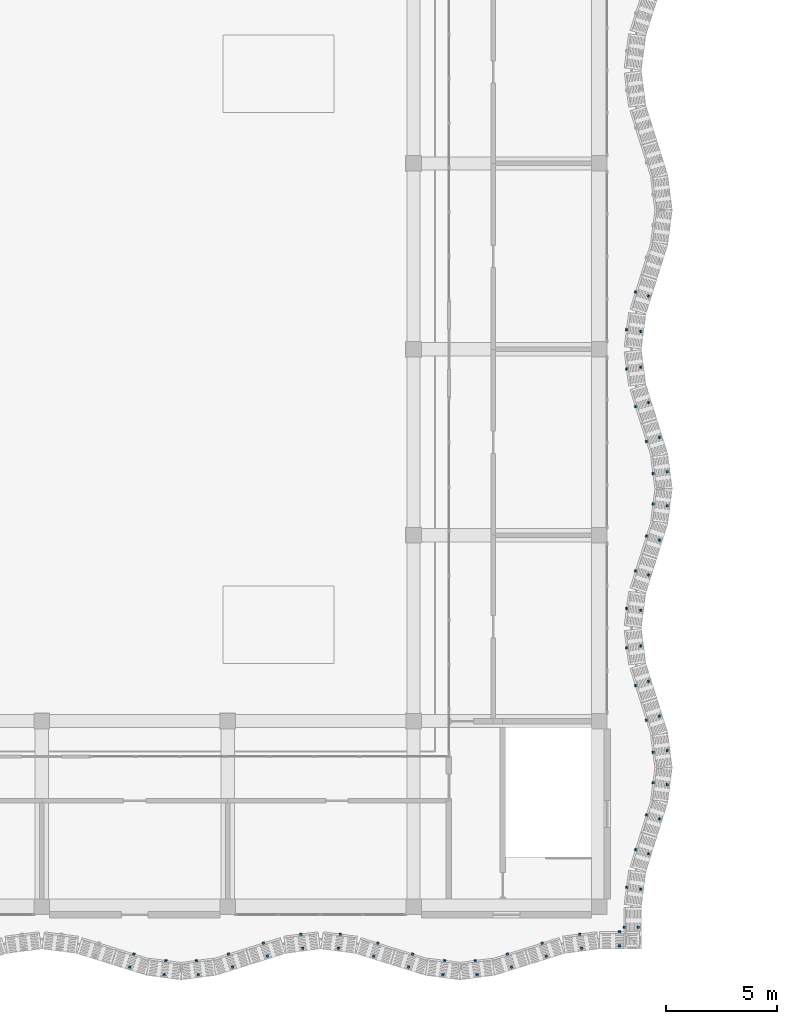
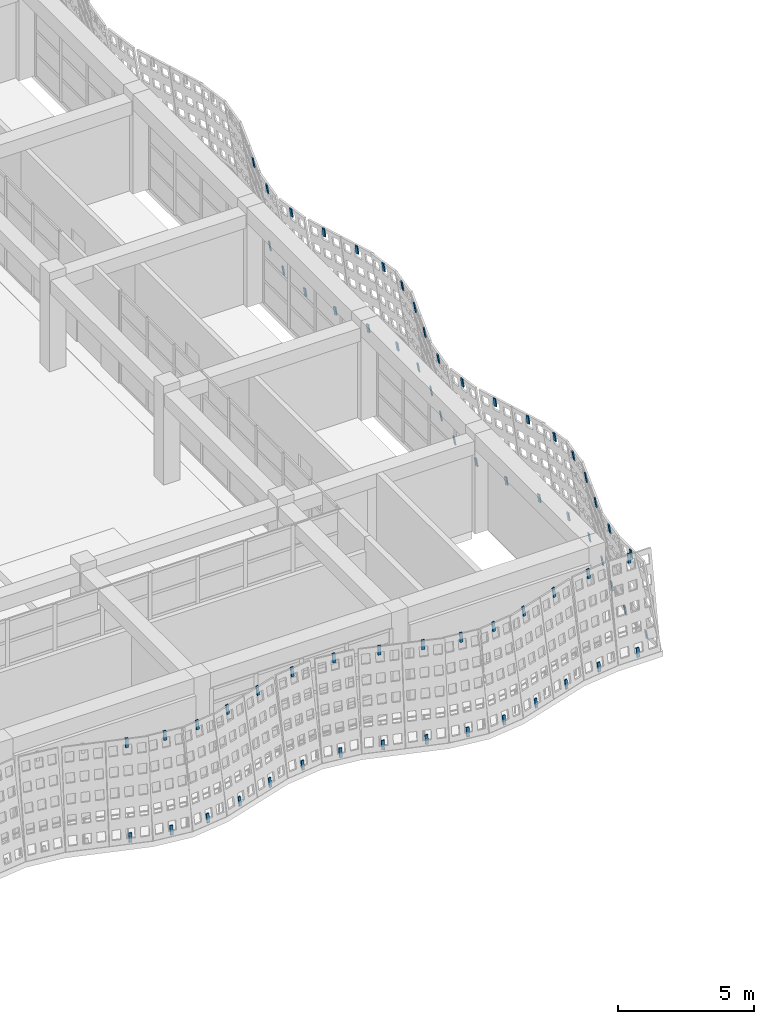
# One storey, part 55 of 85: 68 discrete accessories.
"""IFC4 building model written with IfcOpenShell, lengths in metres."""

from ifc_helpers import new_model, si_unit, direction, frame, origin, origin_2d, place, context, subcontext, project, spatial, rectangle, extrude, material, material_profile, profile_set, type_object, element, save


model = new_model("IFC4")

# Units and contexts
model_context = context("Model", 3, precision=1e-05, world=origin(), true_north=direction((0.0, 1.0)))
body_context = subcontext(model_context, "Body", "Model", "MODEL_VIEW")
ifc_project = project(units=[si_unit("LENGTHUNIT", "METRE"), si_unit("AREAUNIT", "SQUARE_METRE"), si_unit("VOLUMEUNIT", "CUBIC_METRE"), si_unit("PLANEANGLEUNIT", "RADIAN"), si_unit("MASSUNIT", "GRAM", prefix="KILO")], contexts=[model_context])

# Site, building, storey
site_placement = place(None, origin())
site = spatial("IfcSite", under=ifc_project, at=site_placement, CompositionType="ELEMENT")
building_placement = place(site_placement, origin())
building = spatial("IfcBuilding", under=site, at=building_placement, Name="Rain Tree Exposition and Congress Centre", CompositionType="ELEMENT")
storey_placement = place(building_placement, frame((0.0, 0.0, 15.0)))
storey = spatial("IfcBuildingStorey", under=building, at=storey_placement, Name="L03", CompositionType="ELEMENT", Elevation=15.0)

# Discrete accessories
ifc_material = material(Name="Steel S355J2", Category="steel")
ifc_material_profile = material_profile(ifc_material, rectangle(XDim=0.1201171875, YDim=0.050048828125, at=origin_2d()), Name="Flat bar 120x50")
ifc_profile_set = profile_set([ifc_material_profile], Name="Steel S355J2")
discrete_accessory_type = type_object("IfcDiscreteAccessoryType", Name="Screen bracket 120x50", PredefinedType="BRACKET", material=ifc_profile_set)
for number, where, z_axis, x_axis, name in (
    (1, (29.35009765625, -2.159423828125, 3.85107421875), (0.047601548727, 0.150738237635, 0.987426997946), (-0.953582665134, 0.301131367937, 0.0), "wing/bracket/L03/0191t"),
    (2, (29.16552734375, -2.74658203125, 0.00390625), (0.047601548727, 0.150738237635, 0.987426997946), (-0.953582665134, 0.301131367937, 0.0), "wing/bracket/L03/0191b"),
):
    element("IfcDiscreteAccessory", number, at=place(storey_placement, frame(where, z_axis=z_axis, x_axis=x_axis)), inside=storey, type_object=discrete_accessory_type, Name=name, PredefinedType="BRACKET", context=body_context, shape_type="SweptSolid", body=[
        extrude(rectangle(XDim=0.1201171875, YDim=0.050048828125, at=origin_2d()), origin(), (0.0, 0.0, 1.0), 0.400146484375),
    ])
for number, where, z_axis, x_axis, name in (
    (3, (30.806884765625, -2.458984375, 3.851318359375), (0.021363835031, 0.162975541524, 0.986398783159), (-0.991517377774, 0.129974188098, 0.0), "wing/bracket/L03/0201t"),
    (4, (30.724365234375, -3.093505859375, 0.004150390625), (0.021363835031, 0.162975541524, 0.986398783159), (-0.991517377774, 0.129974188098, 0.0), "wing/bracket/L03/0201b"),
    (5, (32.193115234375, -2.458984375, 3.851318359375), (-0.021363835031, 0.162975541524, 0.986398783159), (-0.991517377774, -0.129974188098, 0.0), "wing/bracket/L03/0211t"),
    (6, (32.275634765625, -3.093505859375, 0.004150390625), (-0.021363835031, 0.162975541524, 0.986398783159), (-0.991517377774, -0.129974188098, 0.0), "wing/bracket/L03/0211b"),
):
    element("IfcDiscreteAccessory", number, at=place(storey_placement, frame(where, z_axis=z_axis, x_axis=x_axis)), inside=storey, type_object=discrete_accessory_type, Name=name, PredefinedType="BRACKET", context=body_context, shape_type="SweptSolid", body=[
        extrude(rectangle(XDim=0.1201171875, YDim=0.050048828125, at=origin_2d()), origin(), (0.0, 0.0, 1.0), 0.39990234375),
    ])
for number, where, z_axis, x_axis, name in (
    (7, (33.64990234375, -2.159423828125, 3.85107421875), (-0.047601548727, 0.150738237635, 0.987426997946), (-0.953582665134, -0.301131367937, 0.0), "wing/bracket/L03/0221t"),
    (8, (33.83447265625, -2.74658203125, 0.00390625), (-0.047601548727, 0.150738237635, 0.987426997946), (-0.953582665134, -0.301131367937, 0.0), "wing/bracket/L03/0221b"),
    (9, (35.221435546875, -1.66552734375, 3.85107421875), (-0.04699262887, 0.150742588713, 0.987455500152), (-0.954686073127, -0.297614686764, 0.0), "wing/bracket/L03/0231t"),
    (10, (35.406005859375, -2.252685546875, 0.00390625), (-0.04699262887, 0.150742588713, 0.987455500152), (-0.954686073127, -0.297614686764, 0.0), "wing/bracket/L03/0231b"),
):
    element("IfcDiscreteAccessory", number, at=place(storey_placement, frame(where, z_axis=z_axis, x_axis=x_axis)), inside=storey, type_object=discrete_accessory_type, Name=name, PredefinedType="BRACKET", context=body_context, shape_type="SweptSolid", body=[
        extrude(rectangle(XDim=0.1201171875, YDim=0.050048828125, at=origin_2d()), origin(), (0.0, 0.0, 1.0), 0.400146484375),
    ])
for number, where, z_axis, x_axis, name in (
    (11, (36.91650390625, -1.26416015625, 3.851318359375), (-0.021365956631, 0.162381270396, 0.986496740452), (-0.991454295543, -0.130454512571, 0.0), "wing/bracket/L03/0241t"),
    (12, (36.998779296875, -1.898681640625, 0.004150390625), (-0.020753706516, 0.162977636468, 0.986411462665), (-0.991989449114, -0.12632075382, 0.0), "wing/bracket/L03/0241b"),
    (13, (38.68359375, -1.26416015625, 3.851318359375), (0.021365956631, 0.162381270396, 0.986496740452), (-0.991454295543, 0.130454512571, 0.0), "wing/bracket/L03/0251t"),
    (14, (38.60107421875, -1.898681640625, 0.004150390625), (0.021363835031, 0.162975541524, 0.986398783159), (-0.991517377774, 0.129974188098, 0.0), "wing/bracket/L03/0251b"),
):
    element("IfcDiscreteAccessory", number, at=place(storey_placement, frame(where, z_axis=z_axis, x_axis=x_axis)), inside=storey, type_object=discrete_accessory_type, Name=name, PredefinedType="BRACKET", context=body_context, shape_type="SweptSolid", body=[
        extrude(rectangle(XDim=0.1201171875, YDim=0.050048828125, at=origin_2d()), origin(), (0.0, 0.0, 1.0), 0.39990234375),
    ])
for number, where, z_axis, x_axis, name in (
    (15, (40.37841796875, -1.66552734375, 3.85107421875), (0.047601548727, 0.150738237635, 0.987426997946), (-0.953582665134, 0.301131367937, 0.0), "wing/bracket/L03/0261t"),
    (16, (40.194091796875, -2.252685546875, 0.00390625), (0.04699262887, 0.150742588713, 0.987455500152), (-0.954686073127, 0.297614686764, 0.0), "wing/bracket/L03/0261b"),
    (17, (41.9501953125, -2.159423828125, 3.85107421875), (0.04699262887, 0.150742588713, 0.987455500152), (-0.954686073127, 0.297614686764, 0.0), "wing/bracket/L03/0271t"),
    (18, (41.765625, -2.74658203125, 0.00390625), (0.047601548727, 0.150738237635, 0.987426997946), (-0.953582665134, 0.301131367937, 0.0), "wing/bracket/L03/0271b"),
):
    element("IfcDiscreteAccessory", number, at=place(storey_placement, frame(where, z_axis=z_axis, x_axis=x_axis)), inside=storey, type_object=discrete_accessory_type, Name=name, PredefinedType="BRACKET", context=body_context, shape_type="SweptSolid", body=[
        extrude(rectangle(XDim=0.1201171875, YDim=0.050048828125, at=origin_2d()), origin(), (0.0, 0.0, 1.0), 0.400146484375),
    ])
for number, where, z_axis, x_axis, name in (
    (19, (43.406982421875, -2.458984375, 3.851318359375), (0.020753706516, 0.162977636468, 0.986411462665), (-0.991989449114, 0.12632075382, 0.0), "wing/bracket/L03/0281t"),
    (20, (43.324462890625, -3.093505859375, 0.004150390625), (0.021363835031, 0.162975541524, 0.986398783159), (-0.991517377774, 0.129974188098, 0.0), "wing/bracket/L03/0281b"),
    (21, (44.79296875, -2.458984375, 3.851318359375), (-0.020753706516, 0.162977636468, 0.986411462665), (-0.991989449114, -0.12632075382, 0.0), "wing/bracket/L03/0291t"),
    (22, (44.87548828125, -3.093505859375, 0.004150390625), (-0.020753706516, 0.162977636468, 0.986411462665), (-0.991989449114, -0.12632075382, 0.0), "wing/bracket/L03/0291b"),
):
    element("IfcDiscreteAccessory", number, at=place(storey_placement, frame(where, z_axis=z_axis, x_axis=x_axis)), inside=storey, type_object=discrete_accessory_type, Name=name, PredefinedType="BRACKET", context=body_context, shape_type="SweptSolid", body=[
        extrude(rectangle(XDim=0.1201171875, YDim=0.050048828125, at=origin_2d()), origin(), (0.0, 0.0, 1.0), 0.39990234375),
    ])
for number, where, z_axis, x_axis, name in (
    (23, (46.25, -2.159423828125, 3.85107421875), (-0.047601548727, 0.150738237635, 0.987426997946), (-0.953582665134, -0.301131367937, 0.0), "wing/bracket/L03/0301t"),
    (24, (46.434326171875, -2.74658203125, 0.00390625), (-0.047601548727, 0.150738237635, 0.987426997946), (-0.953582665134, -0.301131367937, 0.0), "wing/bracket/L03/0301b"),
    (25, (47.821533203125, -1.66552734375, 3.85107421875), (-0.047601548727, 0.150738237635, 0.987426997946), (-0.953582665134, -0.301131367937, 0.0), "wing/bracket/L03/0311t"),
    (26, (48.006103515625, -2.252685546875, 0.00390625), (-0.047601548727, 0.150738237635, 0.987426997946), (-0.953582665134, -0.301131367937, 0.0), "wing/bracket/L03/0311b"),
):
    element("IfcDiscreteAccessory", number, at=place(storey_placement, frame(where, z_axis=z_axis, x_axis=x_axis)), inside=storey, type_object=discrete_accessory_type, Name=name, PredefinedType="BRACKET", context=body_context, shape_type="SweptSolid", body=[
        extrude(rectangle(XDim=0.1201171875, YDim=0.050048828125, at=origin_2d()), origin(), (0.0, 0.0, 1.0), 0.400146484375),
    ])
for number, where, z_axis, x_axis, name in (
    (27, (49.516357421875, -1.26416015625, 3.851318359375), (-0.021365956631, 0.162381270396, 0.986496740452), (-0.991454295543, -0.130454512571, 0.0), "wing/bracket/L03/0321t"),
    (28, (49.598876953125, -1.898681640625, 0.004150390625), (-0.020753706516, 0.162977636468, 0.986411462665), (-0.991989449114, -0.12632075382, 0.0), "wing/bracket/L03/0321b"),
    (29, (51.310302734375, -1.14990234375, 3.851318359375), (0.0, 0.164794877674, 0.986327860446), (-1.0, 0.0, 0.0), "wing/bracket/L03/0331t"),
):
    element("IfcDiscreteAccessory", number, at=place(storey_placement, frame(where, z_axis=z_axis, x_axis=x_axis)), inside=storey, type_object=discrete_accessory_type, Name=name, PredefinedType="BRACKET", context=body_context, shape_type="SweptSolid", body=[
        extrude(rectangle(XDim=0.1201171875, YDim=0.050048828125, at=origin_2d()), origin(), (0.0, 0.0, 1.0), 0.39990234375),
    ])
for number, where, z_axis, x_axis, name in (
    (30, (51.310302734375, -1.795166015625, 0.004150390625), (0.0, 0.165388563864, 0.986228484147), (-1.0, 0.0, 0.0), "wing/bracket/L03/0331b"),
    (31, (51.550048828125, -0.91015625, 3.851318359375), (-0.165388563864, 0.0, 0.986228484147), (0.0, -1.0, 0.0), "wing/bracket/L03/0341t"),
    (32, (52.1953125, -0.91015625, 0.004150390625), (-0.16598207031, 0.0, 0.986128770666), (0.0, -1.0, 0.0), "wing/bracket/L03/0341b"),
):
    element("IfcDiscreteAccessory", number, at=place(storey_placement, frame(where, z_axis=z_axis, x_axis=x_axis)), inside=storey, type_object=discrete_accessory_type, Name=name, PredefinedType="BRACKET", context=body_context, shape_type="SweptSolid", body=[
        extrude(rectangle(XDim=0.1201171875, YDim=0.050048828125, at=origin_2d()), origin(), (0.0, 0.0, 1.0), 0.400146484375),
    ])
for number, where, z_axis, x_axis, name in (
    (33, (51.664306640625, 0.883544921875, 3.851318359375), (-0.162975541524, 0.021363835031, 0.986398783159), (-0.129974188098, -0.991517377774, 0.0), "wing/bracket/L03/0351t"),
    (34, (52.298583984375, 0.801025390625, 0.004150390625), (-0.162975541524, 0.021363835031, 0.986398783159), (-0.129974188098, -0.991517377774, 0.0), "wing/bracket/L03/0351b"),
    (35, (52.0654296875, 2.57861328125, 3.85107421875), (-0.150146080534, 0.046996943907, 0.987546171966), (-0.298716747751, -0.954341817491, 0.0), "wing/bracket/L03/0361t"),
):
    element("IfcDiscreteAccessory", number, at=place(storey_placement, frame(where, z_axis=z_axis, x_axis=x_axis)), inside=storey, type_object=discrete_accessory_type, Name=name, PredefinedType="BRACKET", context=body_context, shape_type="SweptSolid", body=[
        extrude(rectangle(XDim=0.1201171875, YDim=0.050048828125, at=origin_2d()), origin(), (0.0, 0.0, 1.0), 0.39990234375),
    ])
for number, where, z_axis, x_axis, name in (
    (36, (52.652587890625, 2.39404296875, 0.00390625), (-0.150742588713, 0.04699262887, 0.987455500152), (-0.297614686764, -0.954686073127, 0.0), "wing/bracket/L03/0361b"),
    (37, (52.5595703125, 4.150146484375, 3.85107421875), (-0.150738237635, 0.047601548727, 0.987426997946), (-0.301131367937, -0.953582665134, 0.0), "wing/bracket/L03/0371t"),
):
    element("IfcDiscreteAccessory", number, at=place(storey_placement, frame(where, z_axis=z_axis, x_axis=x_axis)), inside=storey, type_object=discrete_accessory_type, Name=name, PredefinedType="BRACKET", context=body_context, shape_type="SweptSolid", body=[
        extrude(rectangle(XDim=0.1201171875, YDim=0.050048828125, at=origin_2d()), origin(), (0.0, 0.0, 1.0), 0.400146484375),
    ])
for number, where, z_axis, x_axis, name in (
    (38, (53.146484375, 3.965576171875, 0.00390625), (-0.150141745877, 0.047605919425, 0.987517661908), (-0.302243860734, -0.953230637699, 0.0), "wing/bracket/L03/0371b"),
    (39, (52.85888671875, 5.60693359375, 3.851318359375), (-0.162381270396, 0.021365956631, 0.986496740452), (-0.130454512571, -0.991454295543, 0.0), "wing/bracket/L03/0381t"),
    (40, (53.493408203125, 5.5244140625, 0.004150390625), (-0.162975541524, 0.021363835031, 0.986398783159), (-0.129974188098, -0.991517377774, 0.0), "wing/bracket/L03/0381b"),
    (41, (52.85888671875, 6.992919921875, 3.851318359375), (-0.162383358115, -0.020755767579, 0.986509423736), (0.126788023985, -0.991929834703, 0.0), "wing/bracket/L03/0391t"),
    (42, (53.493408203125, 7.07568359375, 0.004150390625), (-0.162975541524, -0.021363835031, 0.986398783159), (0.129974188098, -0.991517377774, 0.0), "wing/bracket/L03/0391b"),
):
    element("IfcDiscreteAccessory", number, at=place(storey_placement, frame(where, z_axis=z_axis, x_axis=x_axis)), inside=storey, type_object=discrete_accessory_type, Name=name, PredefinedType="BRACKET", context=body_context, shape_type="SweptSolid", body=[
        extrude(rectangle(XDim=0.1201171875, YDim=0.050048828125, at=origin_2d()), origin(), (0.0, 0.0, 1.0), 0.39990234375),
    ])
discrete_accessory_1_placement = place(storey_placement, frame((52.5595703125, 8.449951171875, 3.85107421875), z_axis=(-0.150738237635, -0.047601548727, 0.987426997946), x_axis=(0.301131367937, -0.953582665134, 0.0)))
element("IfcDiscreteAccessory", 43, at=discrete_accessory_1_placement, inside=storey, type_object=discrete_accessory_type, Name="wing/bracket/L03/0401t", PredefinedType="BRACKET", context=body_context, shape_type="SweptSolid", body=[
    extrude(rectangle(XDim=0.1201171875, YDim=0.050048828125, at=origin_2d()), origin(), (0.0, 0.0, 1.0), 0.400146484375),
])
for number, where, z_axis, x_axis, name in (
    (44, (53.146484375, 8.634521484375, 0.00390625), (-0.150141745877, -0.047605919425, 0.987517661908), (0.302243860734, -0.953230637699, 0.0), "wing/bracket/L03/0401b"),
    (45, (52.0654296875, 10.021484375, 3.85107421875), (-0.150146080534, -0.046996943907, 0.987546171966), (0.298716747751, -0.954341817491, 0.0), "wing/bracket/L03/0411t"),
):
    element("IfcDiscreteAccessory", number, at=place(storey_placement, frame(where, z_axis=z_axis, x_axis=x_axis)), inside=storey, type_object=discrete_accessory_type, Name=name, PredefinedType="BRACKET", context=body_context, shape_type="SweptSolid", body=[
        extrude(rectangle(XDim=0.1201171875, YDim=0.050048828125, at=origin_2d()), origin(), (0.0, 0.0, 1.0), 0.39990234375),
    ])
discrete_accessory_2_placement = place(storey_placement, frame((52.652587890625, 10.2060546875, 0.00390625), z_axis=(-0.150738237635, -0.047601548727, 0.987426997946), x_axis=(0.301131367937, -0.953582665134, 0.0)))
element("IfcDiscreteAccessory", 46, at=discrete_accessory_2_placement, inside=storey, type_object=discrete_accessory_type, Name="wing/bracket/L03/0411b", PredefinedType="BRACKET", context=body_context, shape_type="SweptSolid", body=[
    extrude(rectangle(XDim=0.1201171875, YDim=0.050048828125, at=origin_2d()), origin(), (0.0, 0.0, 1.0), 0.400146484375),
])
for number, where, z_axis, x_axis, name in (
    (47, (51.664306640625, 11.71630859375, 3.851318359375), (-0.162977636468, -0.020753706516, 0.986411462665), (0.12632075382, -0.991989449114, 0.0), "wing/bracket/L03/0421t"),
    (48, (52.298583984375, 11.798828125, 0.004150390625), (-0.162977636468, -0.020753706516, 0.986411462665), (0.12632075382, -0.991989449114, 0.0), "wing/bracket/L03/0421b"),
    (49, (51.664306640625, 13.483642578125, 3.851318359375), (-0.162975541524, 0.021363835031, 0.986398783159), (-0.129974188098, -0.991517377774, 0.0), "wing/bracket/L03/0431t"),
    (50, (52.298583984375, 13.401123046875, 0.004150390625), (-0.162977636468, 0.020753706516, 0.986411462665), (-0.12632075382, -0.991989449114, 0.0), "wing/bracket/L03/0431b"),
    (51, (52.0654296875, 15.178466796875, 3.85107421875), (-0.150141745877, 0.047605919425, 0.987517661908), (-0.302243860734, -0.953230637699, 0.0), "wing/bracket/L03/0441t"),
):
    element("IfcDiscreteAccessory", number, at=place(storey_placement, frame(where, z_axis=z_axis, x_axis=x_axis)), inside=storey, type_object=discrete_accessory_type, Name=name, PredefinedType="BRACKET", context=body_context, shape_type="SweptSolid", body=[
        extrude(rectangle(XDim=0.1201171875, YDim=0.050048828125, at=origin_2d()), origin(), (0.0, 0.0, 1.0), 0.39990234375),
    ])
for number, where, z_axis, x_axis, name in (
    (52, (52.652587890625, 14.993896484375, 0.00390625), (-0.150738237635, 0.047601548727, 0.987426997946), (-0.301131367937, -0.953582665134, 0.0), "wing/bracket/L03/0441b"),
    (53, (52.5595703125, 16.75, 3.85107421875), (-0.150738237635, 0.047601548727, 0.987426997946), (-0.301131367937, -0.953582665134, 0.0), "wing/bracket/L03/0451t"),
):
    element("IfcDiscreteAccessory", number, at=place(storey_placement, frame(where, z_axis=z_axis, x_axis=x_axis)), inside=storey, type_object=discrete_accessory_type, Name=name, PredefinedType="BRACKET", context=body_context, shape_type="SweptSolid", body=[
        extrude(rectangle(XDim=0.1201171875, YDim=0.050048828125, at=origin_2d()), origin(), (0.0, 0.0, 1.0), 0.400146484375),
    ])
for number, where, z_axis, x_axis, name in (
    (54, (53.146484375, 16.565673828125, 0.00390625), (-0.150141745877, 0.047605919425, 0.987517661908), (-0.302243860734, -0.953230637699, 0.0), "wing/bracket/L03/0451b"),
    (55, (52.85888671875, 18.20703125, 3.851318359375), (-0.162383358115, 0.020755767579, 0.986509423736), (-0.126788023985, -0.991929834703, 0.0), "wing/bracket/L03/0461t"),
    (56, (53.493408203125, 18.12451171875, 0.004150390625), (-0.162977636468, 0.020753706516, 0.986411462665), (-0.12632075382, -0.991989449114, 0.0), "wing/bracket/L03/0461b"),
    (57, (52.85888671875, 19.593017578125, 3.851318359375), (-0.162383358115, -0.020755767579, 0.986509423736), (0.126788023985, -0.991929834703, 0.0), "wing/bracket/L03/0471t"),
    (58, (53.493408203125, 19.675537109375, 0.004150390625), (-0.162975541524, -0.021363835031, 0.986398783159), (0.129974188098, -0.991517377774, 0.0), "wing/bracket/L03/0471b"),
):
    element("IfcDiscreteAccessory", number, at=place(storey_placement, frame(where, z_axis=z_axis, x_axis=x_axis)), inside=storey, type_object=discrete_accessory_type, Name=name, PredefinedType="BRACKET", context=body_context, shape_type="SweptSolid", body=[
        extrude(rectangle(XDim=0.1201171875, YDim=0.050048828125, at=origin_2d()), origin(), (0.0, 0.0, 1.0), 0.39990234375),
    ])
discrete_accessory_3_placement = place(storey_placement, frame((52.5595703125, 21.0498046875, 3.85107421875), z_axis=(-0.150742588713, -0.04699262887, 0.987455500152), x_axis=(0.297614686764, -0.954686073127, 0.0)))
element("IfcDiscreteAccessory", 59, at=discrete_accessory_3_placement, inside=storey, type_object=discrete_accessory_type, Name="wing/bracket/L03/0481t", PredefinedType="BRACKET", context=body_context, shape_type="SweptSolid", body=[
    extrude(rectangle(XDim=0.1201171875, YDim=0.050048828125, at=origin_2d()), origin(), (0.0, 0.0, 1.0), 0.400146484375),
])
for number, where, z_axis, x_axis, name in (
    (60, (53.146484375, 21.234375, 0.00390625), (-0.150141745877, -0.047605919425, 0.987517661908), (0.302243860734, -0.953230637699, 0.0), "wing/bracket/L03/0481b"),
    (61, (52.0654296875, 22.62158203125, 3.85107421875), (-0.150141745877, -0.047605919425, 0.987517661908), (0.302243860734, -0.953230637699, 0.0), "wing/bracket/L03/0491t"),
):
    element("IfcDiscreteAccessory", number, at=place(storey_placement, frame(where, z_axis=z_axis, x_axis=x_axis)), inside=storey, type_object=discrete_accessory_type, Name=name, PredefinedType="BRACKET", context=body_context, shape_type="SweptSolid", body=[
        extrude(rectangle(XDim=0.1201171875, YDim=0.050048828125, at=origin_2d()), origin(), (0.0, 0.0, 1.0), 0.39990234375),
    ])
discrete_accessory_4_placement = place(storey_placement, frame((52.652587890625, 22.805908203125, 0.00390625), z_axis=(-0.150742588713, -0.04699262887, 0.987455500152), x_axis=(0.297614686764, -0.954686073127, 0.0)))
element("IfcDiscreteAccessory", 62, at=discrete_accessory_4_placement, inside=storey, type_object=discrete_accessory_type, Name="wing/bracket/L03/0491b", PredefinedType="BRACKET", context=body_context, shape_type="SweptSolid", body=[
    extrude(rectangle(XDim=0.1201171875, YDim=0.050048828125, at=origin_2d()), origin(), (0.0, 0.0, 1.0), 0.400146484375),
])
for number, where, z_axis, x_axis, name in (
    (63, (51.664306640625, 24.31640625, 3.851318359375), (-0.162975541524, -0.021363835031, 0.986398783159), (0.129974188098, -0.991517377774, 0.0), "wing/bracket/L03/0501t"),
    (64, (52.298583984375, 24.39892578125, 0.004150390625), (-0.162975541524, -0.021363835031, 0.986398783159), (0.129974188098, -0.991517377774, 0.0), "wing/bracket/L03/0501b"),
    (65, (51.664306640625, 26.08349609375, 3.851318359375), (-0.162975541524, 0.021363835031, 0.986398783159), (-0.129974188098, -0.991517377774, 0.0), "wing/bracket/L03/0511t"),
    (66, (52.298583984375, 26.001220703125, 0.004150390625), (-0.162977636468, 0.020753706516, 0.986411462665), (-0.12632075382, -0.991989449114, 0.0), "wing/bracket/L03/0511b"),
    (67, (52.0654296875, 27.778564453125, 3.85107421875), (-0.150146080534, 0.046996943907, 0.987546171966), (-0.298716747751, -0.954341817491, 0.0), "wing/bracket/L03/0521t"),
):
    element("IfcDiscreteAccessory", number, at=place(storey_placement, frame(where, z_axis=z_axis, x_axis=x_axis)), inside=storey, type_object=discrete_accessory_type, Name=name, PredefinedType="BRACKET", context=body_context, shape_type="SweptSolid", body=[
        extrude(rectangle(XDim=0.1201171875, YDim=0.050048828125, at=origin_2d()), origin(), (0.0, 0.0, 1.0), 0.39990234375),
    ])
discrete_accessory_5_placement = place(storey_placement, frame((52.652587890625, 27.593994140625, 0.00390625), z_axis=(-0.150742588713, 0.04699262887, 0.987455500152), x_axis=(-0.297614686764, -0.954686073127, 0.0)))
element("IfcDiscreteAccessory", 68, at=discrete_accessory_5_placement, inside=storey, type_object=discrete_accessory_type, Name="wing/bracket/L03/0521b", PredefinedType="BRACKET", context=body_context, shape_type="SweptSolid", body=[
    extrude(rectangle(XDim=0.1201171875, YDim=0.050048828125, at=origin_2d()), origin(), (0.0, 0.0, 1.0), 0.400146484375),
])

save(model, "model.ifc")
